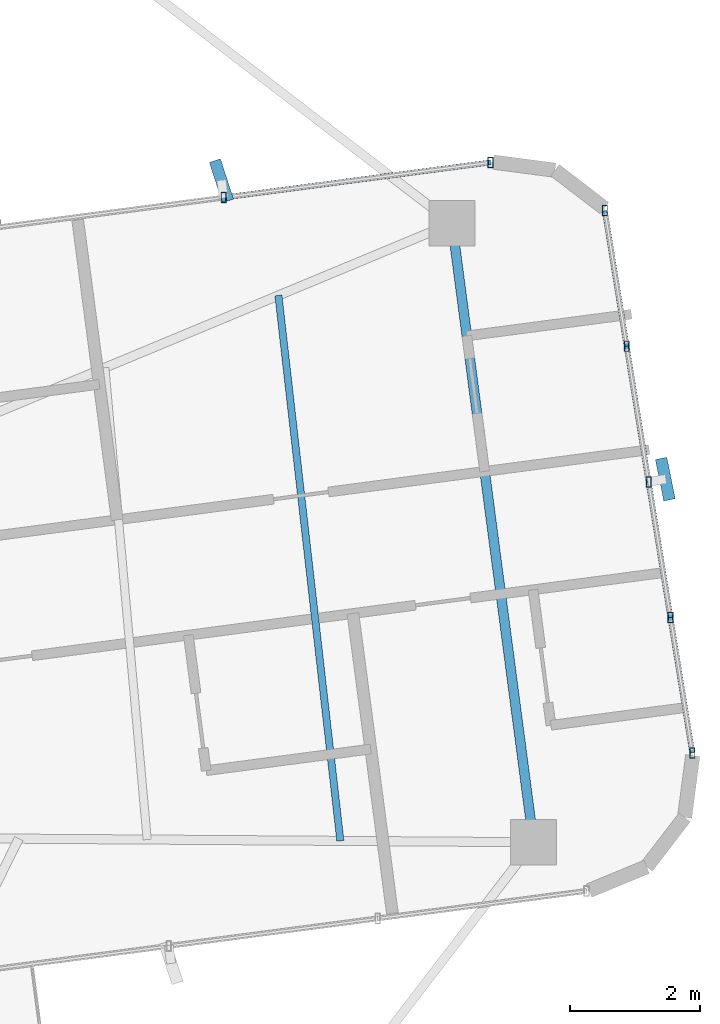
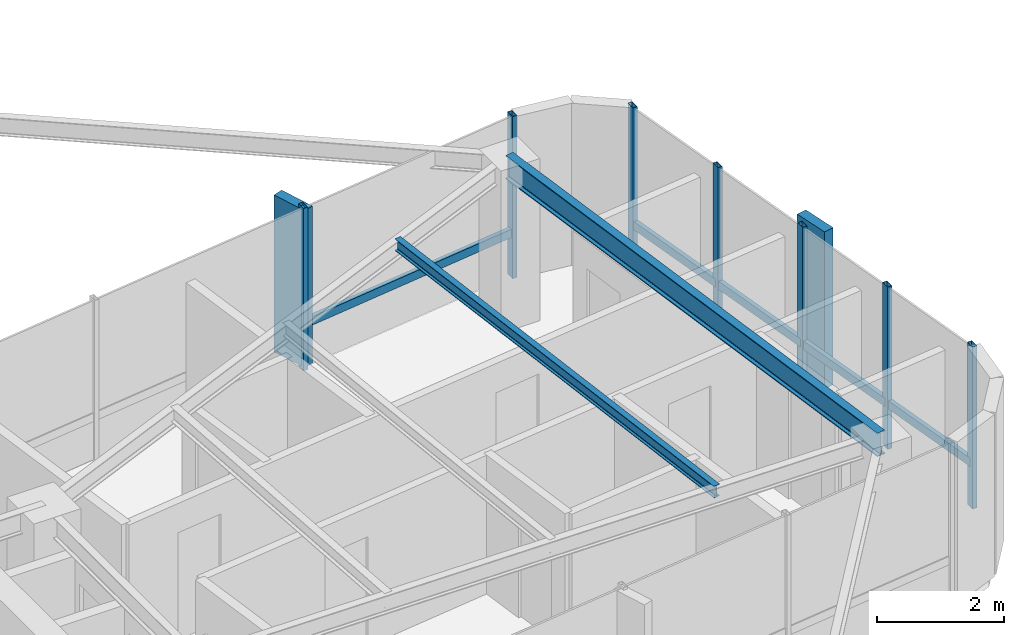
# One storey, part 12 of 21: 14 members, 2 beams, 2 elements without a shape of their own.
"""IFC4 building model written with IfcOpenShell, lengths in metres."""

from ifc_helpers import new_model, si_unit, direction, frame, origin, origin_2d, place, context, subcontext, project, spatial, rectangle, hollow_rectangle, i_section, extrude, source, transform, mapped, material, material_profile, profile_set, type_object, element, aggregate, save


model = new_model("IFC4")

# Units and contexts
model_context = context("Model", 3, precision=1e-05, world=origin(), true_north=direction((0.0, 1.0)))
body_context = subcontext(model_context, "Body", "Model", "MODEL_VIEW")
ifc_project = project(units=[si_unit("LENGTHUNIT", "METRE"), si_unit("AREAUNIT", "SQUARE_METRE"), si_unit("VOLUMEUNIT", "CUBIC_METRE"), si_unit("PLANEANGLEUNIT", "RADIAN"), si_unit("MASSUNIT", "GRAM", prefix="KILO")], contexts=[model_context])

# Site, building, storey
site_placement = place(None, origin())
site = spatial("IfcSite", under=ifc_project, at=site_placement, CompositionType="ELEMENT")
building_placement = place(site_placement, origin())
building = spatial("IfcBuilding", under=site, at=building_placement, Name="Sahyath Konkavel Grand Hotel", CompositionType="ELEMENT")
storey_placement = place(building_placement, frame((0.0, 0.0, 219.89990234375)))
storey = spatial("IfcBuildingStorey", under=building, at=storey_placement, Name="L61", CompositionType="ELEMENT", Elevation=219.89990234375)

# Beams
ifc_material_1 = material(Name="Steel E350", Category="steel")
ifc_material_profile_1 = material_profile(ifc_material_1, i_section(OverallWidth=0.14990234375, OverallDepth=0.449951171875, WebThickness=0.009521484375, FlangeThickness=0.017333984375, FilletRadius=0.014892578125, at=origin_2d()), Name="ISMB 450")
ifc_profile_set_1 = profile_set([ifc_material_profile_1], Name="Steel E350")
beam_type_1 = type_object("IfcBeamType", Name="BM-ISMB450", PredefinedType="BEAM", material=ifc_profile_set_1)
shared_shape_1 = source(origin(), body_context, "Body", "SweptSolid", [
    extrude(i_section(OverallWidth=0.14990234375, OverallDepth=0.449951171875, WebThickness=0.009521484375, FlangeThickness=0.017333984375, FilletRadius=0.014892578125, at=origin_2d()), origin(), (0.0, 0.0, 1.0), 9.592041015625),
])
beam_1_placement = place(storey_placement, frame((17.8642578125, -2.485595703125, 2.885009765625), z_axis=(-0.130519693891, 0.991445716873, 0.0), x_axis=(-0.991445716873, -0.130519693891, 0.0)))
element("IfcBeam", 1, at=beam_1_placement, inside=storey, type_object=beam_type_1, Name="L61 Wing Tip Edge Beam E", PredefinedType="BEAM", context=body_context, shape_type="MappedRepresentation", body=[
    mapped(shared_shape_1, transform((0.0, 0.0, 0.0), scale=1.0)),
])
ifc_material_profile_2 = material_profile(ifc_material_1, i_section(OverallWidth=0.110107421875, OverallDepth=0.22509765625, WebThickness=0.006591796875, FlangeThickness=0.01171875, FilletRadius=0.011962890625, at=origin_2d()), Name="ISMB 225")
ifc_profile_set_2 = profile_set([ifc_material_profile_2], Name="Steel E350")
beam_type_2 = type_object("IfcBeamType", Name="BM-ISMB225", PredefinedType="BEAM", material=ifc_profile_set_2)
shared_shape_2 = source(origin(), body_context, "Body", "SweptSolid", [
    extrude(i_section(OverallWidth=0.110107421875, OverallDepth=0.22509765625, WebThickness=0.006591796875, FlangeThickness=0.01171875, FilletRadius=0.011962890625, at=origin_2d()), origin(), (0.0, 0.0, 1.0), 8.43359375),
])
beam_2_placement = place(storey_placement, frame((14.89697265625, -2.465087890625, 2.99755859375), z_axis=(-0.112842784992, 0.993612855128, 0.0), x_axis=(-0.993612855128, -0.112842784992, 0.0)))
element("IfcBeam", 2, at=beam_2_placement, inside=storey, type_object=beam_type_2, Name="L61 Secondary Floor Beam E-3", PredefinedType="BEAM", context=body_context, shape_type="MappedRepresentation", body=[
    mapped(shared_shape_2, transform((0.0, 0.0, 0.0), scale=1.0)),
])

# Curtain wall, member
ifc_material_2 = material(Name="Anodised Bronze Aluminium & Low-E Glazing", Category="aluminium")
curtain_wall_type = type_object("IfcCurtainWallType", Name="CW-ZONE4", PredefinedType="NOTDEFINED", material=ifc_material_2)
curtain_wall_1_placement = place(storey_placement, origin())
curtain_wall_1 = element("IfcCurtainWall", 3, at=curtain_wall_1_placement, inside=storey, type_object=curtain_wall_type, Name="L61 Unitised Curtain Wall F4", PredefinedType="NOTDEFINED")
ifc_material_3 = material(Name="Warm Buff Sandstone Cladding on Concrete C50/60", Category="masonry")
ifc_material_profile_3 = material_profile(ifc_material_3, rectangle(XDim=0.179931640625, YDim=0.64990234375, at=origin_2d()), Name="FIN 180x650")
ifc_profile_set_3 = profile_set([ifc_material_profile_3], Name="Warm Buff Sandstone Cladding on Concrete C50/60")
member_type_1 = type_object("IfcMemberType", Name="FIN-SANDSTONE-650", PredefinedType="MULLION", material=ifc_profile_set_3)
shared_shape_3 = source(origin(), body_context, "Body", "SweptSolid", [
    extrude(rectangle(XDim=0.179931640625, YDim=0.64990234375, at=origin_2d()), origin(), (0.0, 0.0, 1.0), 3.010009765625),
])
member_1_placement = place(storey_placement, frame((19.889404296875, 3.092529296875, 0.050048828125), z_axis=(0.0, 0.0, 1.0), x_axis=(0.980028959096, 0.198854819736, 0.0)))
member_1 = element("IfcMember", 4, at=member_1_placement, type_object=member_type_1, Name="L61 Sandstone Vertical Solar Fin FIN F4-2", PredefinedType="MULLION", context=body_context, shape_type="MappedRepresentation", body=[
    mapped(shared_shape_3, transform((0.0, 0.0, 0.0), scale=1.0)),
])

curtain_wall_2_placement = place(storey_placement, origin())
curtain_wall_2 = element("IfcCurtainWall", 5, at=curtain_wall_2_placement, inside=storey, type_object=curtain_wall_type, Name="L61 Unitised Curtain Wall F7", PredefinedType="NOTDEFINED")
member_2_placement = place(storey_placement, frame((13.069580078125, 7.677734375, 0.050048828125), z_axis=(0.0, 0.0, 1.0), x_axis=(0.951487058208, 0.307688768178, 0.0)))
member_2 = element("IfcMember", 6, at=member_2_placement, type_object=member_type_1, Name="L61 Sandstone Vertical Solar Fin FIN F7-1", PredefinedType="MULLION", context=body_context, shape_type="MappedRepresentation", body=[
    mapped(shared_shape_3, transform((0.0, 0.0, 0.0), scale=1.0)),
])

# Member
ifc_material_4 = material(Name="Anodised Bronze Aluminium", Category="aluminium")
ifc_material_profile_4 = material_profile(ifc_material_4, hollow_rectangle(XDim=0.080078125, YDim=0.159912109375, WallThickness=0.006103515625, at=origin_2d()), Name="RHS 160x80x6")
ifc_profile_set_4 = profile_set([ifc_material_profile_4], Name="Anodised Bronze Aluminium")
member_type_2 = type_object("IfcMemberType", Name="CW-MUL-160", PredefinedType="MULLION", material=ifc_profile_set_4)
shared_shape_4 = source(origin(), body_context, "Body", "SweptSolid", [
    extrude(hollow_rectangle(XDim=0.080078125, YDim=0.159912109375, WallThickness=0.006103515625, at=origin_2d()), origin(), (0.0, 0.0, 1.0), 3.110107421875),
])
member_3_placement = place(storey_placement, frame((20.30517578125, -1.115234375, 0.0), z_axis=(0.0, 0.0, 1.0), x_axis=(1.0, 0.0, 0.0)))
member_3 = element("IfcMember", 7, at=member_3_placement, type_object=member_type_2, Name="L61 Curtain Wall Mullion F4-0", PredefinedType="MULLION", context=body_context, shape_type="MappedRepresentation", body=[
    mapped(shared_shape_4, transform((0.0, 0.0, 0.0), scale=1.0)),
])

member_4_placement = place(storey_placement, frame((19.968994140625, 0.968017578125, 0.0), z_axis=(0.0, 0.0, 1.0), x_axis=(1.0, 0.0, 0.0)))
member_4 = element("IfcMember", 8, at=member_4_placement, type_object=member_type_2, Name="L61 Curtain Wall Mullion F4-1", PredefinedType="MULLION", context=body_context, shape_type="MappedRepresentation", body=[
    mapped(shared_shape_4, transform((0.0, 0.0, 0.0), scale=1.0)),
])

member_5_placement = place(storey_placement, frame((19.6328125, 3.05126953125, 0.0), z_axis=(0.0, 0.0, 1.0), x_axis=(1.0, 0.0, 0.0)))
member_5 = element("IfcMember", 9, at=member_5_placement, type_object=member_type_2, Name="L61 Curtain Wall Mullion F4-2", PredefinedType="MULLION", context=body_context, shape_type="MappedRepresentation", body=[
    mapped(shared_shape_4, transform((0.0, 0.0, 0.0), scale=1.0)),
])

member_6_placement = place(storey_placement, frame((19.296630859375, 5.134521484375, 0.0), z_axis=(0.0, 0.0, 1.0), x_axis=(1.0, 0.0, 0.0)))
member_6 = element("IfcMember", 10, at=member_6_placement, type_object=member_type_2, Name="L61 Curtain Wall Mullion F4-3", PredefinedType="MULLION", context=body_context, shape_type="MappedRepresentation", body=[
    mapped(shared_shape_4, transform((0.0, 0.0, 0.0), scale=1.0)),
])

member_7_placement = place(storey_placement, frame((18.96044921875, 7.217529296875, 0.0), z_axis=(0.0, 0.0, 1.0), x_axis=(1.0, 0.0, 0.0)))
member_7 = element("IfcMember", 11, at=member_7_placement, type_object=member_type_2, Name="L61 Curtain Wall Mullion F4-4", PredefinedType="MULLION", context=body_context, shape_type="MappedRepresentation", body=[
    mapped(shared_shape_4, transform((0.0, 0.0, 0.0), scale=1.0)),
])

member_8_placement = place(storey_placement, frame((17.205078125, 7.9599609375, 0.0), z_axis=(0.0, 0.0, 1.0), x_axis=(1.0, 0.0, 0.0)))
member_8 = element("IfcMember", 12, at=member_8_placement, type_object=member_type_2, Name="L61 Curtain Wall Mullion F7-0", PredefinedType="MULLION", context=body_context, shape_type="MappedRepresentation", body=[
    mapped(shared_shape_4, transform((0.0, 0.0, 0.0), scale=1.0)),
])

member_9_placement = place(storey_placement, frame((13.103515625, 7.419921875, 0.0), z_axis=(0.0, 0.0, 1.0), x_axis=(1.0, 0.0, 0.0)))
member_9 = element("IfcMember", 13, at=member_9_placement, type_object=member_type_2, Name="L61 Curtain Wall Mullion F7-1", PredefinedType="MULLION", context=body_context, shape_type="MappedRepresentation", body=[
    mapped(shared_shape_4, transform((0.0, 0.0, 0.0), scale=1.0)),
])

ifc_material_profile_5 = material_profile(ifc_material_4, hollow_rectangle(XDim=0.080078125, YDim=0.159912109375, WallThickness=0.006103515625, at=origin_2d()), Name="RHS 160x80x6")
ifc_profile_set_5 = profile_set([ifc_material_profile_5], Name="Anodised Bronze Aluminium")
member_type_3 = type_object("IfcMemberType", Name="CW-TRN-160", PredefinedType="USERDEFINED", material=ifc_profile_set_5)
shared_shape_5 = source(origin(), body_context, "Body", "SweptSolid", [
    extrude(hollow_rectangle(XDim=0.080078125, YDim=0.159912109375, WallThickness=0.006103515625, at=origin_2d()), origin(), (0.0, 0.0, 1.0), 2.110107421875),
])
member_10_placement = place(storey_placement, frame((20.30517578125, -1.115234375, 0.85009765625), z_axis=(-0.159312462857, 0.987228210283, 0.0), x_axis=(-0.987228210283, -0.159312462857, 0.0)))
member_10 = element("IfcMember", 14, at=member_10_placement, type_object=member_type_3, Name="L61 Curtain Wall Transom F4-0-spandrel", ObjectType="TRANSOM", PredefinedType="USERDEFINED", context=body_context, shape_type="MappedRepresentation", body=[
    mapped(shared_shape_5, transform((0.0, 0.0, 0.0), scale=1.0)),
])

member_11_placement = place(storey_placement, frame((19.968994140625, 0.968017578125, 0.85009765625), z_axis=(-0.159312462857, 0.987228210283, 0.0), x_axis=(-0.987228210283, -0.159312462857, 0.0)))
member_11 = element("IfcMember", 15, at=member_11_placement, type_object=member_type_3, Name="L61 Curtain Wall Transom F4-1-spandrel", ObjectType="TRANSOM", PredefinedType="USERDEFINED", context=body_context, shape_type="MappedRepresentation", body=[
    mapped(shared_shape_5, transform((0.0, 0.0, 0.0), scale=1.0)),
])

member_12_placement = place(storey_placement, frame((19.6328125, 3.05126953125, 0.85009765625), z_axis=(-0.159312462857, 0.987228210283, 0.0), x_axis=(-0.987228210283, -0.159312462857, 0.0)))
member_12 = element("IfcMember", 16, at=member_12_placement, type_object=member_type_3, Name="L61 Curtain Wall Transom F4-2-spandrel", ObjectType="TRANSOM", PredefinedType="USERDEFINED", context=body_context, shape_type="MappedRepresentation", body=[
    mapped(shared_shape_5, transform((0.0, 0.0, 0.0), scale=1.0)),
])

shared_shape_6 = source(origin(), body_context, "Body", "SweptSolid", [
    extrude(hollow_rectangle(XDim=0.080078125, YDim=0.159912109375, WallThickness=0.006103515625, at=origin_2d()), origin(), (0.0, 0.0, 1.0), 2.10986328125),
])
member_13_placement = place(storey_placement, frame((19.296630859375, 5.134521484375, 0.85009765625), z_axis=(-0.15933066121, 0.987225273379, 0.0), x_axis=(-0.987225273379, -0.15933066121, 0.0)))
member_13 = element("IfcMember", 17, at=member_13_placement, type_object=member_type_3, Name="L61 Curtain Wall Transom F4-3-spandrel", ObjectType="TRANSOM", PredefinedType="USERDEFINED", context=body_context, shape_type="MappedRepresentation", body=[
    mapped(shared_shape_6, transform((0.0, 0.0, 0.0), scale=1.0)),
])

aggregate(curtain_wall_1, [member_3, member_4, member_5, member_1, member_6, member_7, member_10, member_11, member_12, member_13])

shared_shape_7 = source(origin(), body_context, "Body", "SweptSolid", [
    extrude(hollow_rectangle(XDim=0.080078125, YDim=0.159912109375, WallThickness=0.006103515625, at=origin_2d()), origin(), (0.0, 0.0, 1.0), 4.136962890625),
])
member_14_placement = place(storey_placement, frame((17.205078125, 7.9599609375, 0.85009765625), z_axis=(-0.991443043354, -0.130540000708, 0.0), x_axis=(0.130540000708, -0.991443043354, 0.0)))
member_14 = element("IfcMember", 18, at=member_14_placement, type_object=member_type_3, Name="L61 Curtain Wall Transom F7-0-spandrel", ObjectType="TRANSOM", PredefinedType="USERDEFINED", context=body_context, shape_type="MappedRepresentation", body=[
    mapped(shared_shape_7, transform((0.0, 0.0, 0.0), scale=1.0)),
])

aggregate(curtain_wall_2, [member_8, member_9, member_2, member_14])

save(model, "model.ifc")
